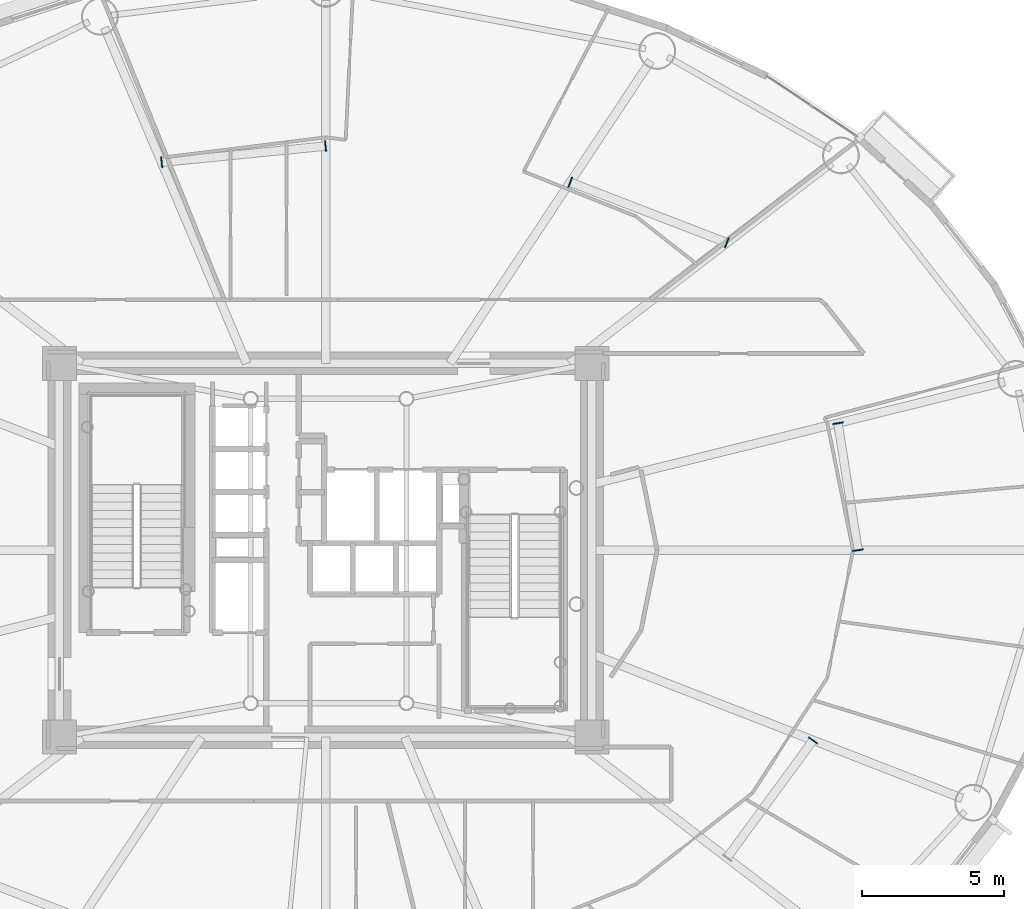
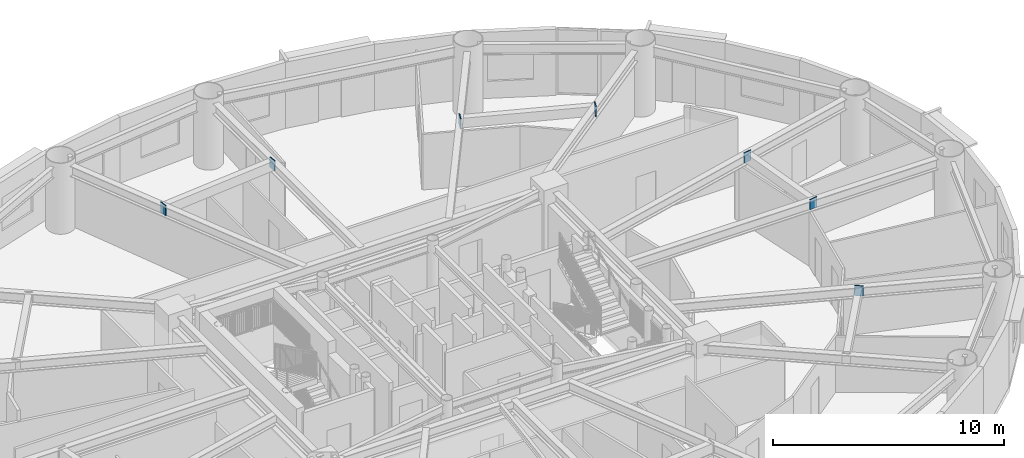
# One storey, part 8 of 21: 7 plates.
"""IFC4 building model written with IfcOpenShell, lengths in metres."""

from ifc_helpers import new_model, si_unit, direction, frame, origin, origin_2d, place, context, subcontext, project, spatial, rectangle, extrude, source, transform, mapped, material, layer, layer_set, type_object, element, save


model = new_model("IFC4")

# Units and contexts
model_context = context("Model", 3, precision=1e-05, world=origin(), true_north=direction((0.0, 1.0)))
body_context = subcontext(model_context, "Body", "Model", "MODEL_VIEW")
ifc_project = project(units=[si_unit("LENGTHUNIT", "METRE"), si_unit("AREAUNIT", "SQUARE_METRE"), si_unit("VOLUMEUNIT", "CUBIC_METRE"), si_unit("PLANEANGLEUNIT", "RADIAN"), si_unit("MASSUNIT", "GRAM", prefix="KILO")], contexts=[model_context])

# Site, building, storey
site_placement = place(None, origin())
site = spatial("IfcSite", under=ifc_project, at=site_placement, CompositionType="ELEMENT")
building_placement = place(site_placement, origin())
building = spatial("IfcBuilding", under=site, at=building_placement, Name="Linh Dai School and Residence Tower", CompositionType="ELEMENT")
storey_placement = place(building_placement, frame((0.0, 0.0, 189.89990234375)))
storey = spatial("IfcBuildingStorey", under=building, at=storey_placement, Name="L46", CompositionType="ELEMENT", Elevation=189.89990234375)

# Plates
ifc_material = material(Name="Structural Steel S355JR", Category="steel")
ifc_layer = layer(ifc_material, 0.0400390625)
ifc_layer_set = layer_set([ifc_layer], Name="Structural Steel S355JR")
plate_type = type_object("IfcPlateType", Name="PLT-GP1", PredefinedType="USERDEFINED", material=ifc_layer_set)
shared_shape = source(origin(), body_context, "Body", "SweptSolid", [
    extrude(rectangle(XDim=0.0400390625, YDim=0.3798828125, at=origin_2d()), origin(), (0.0, 0.0, 1.0), 0.5400390625),
])
for number, where, z_axis, x_axis, name in (
    (1, (54.795166015625, 27.0048828125, 2.97998046875), (0.0, 0.0, 1.0), (-0.156309354655, 0.987708148011, 0.0), "L46 Secondary Beam End Plate 01A"),
    (2, (54.0859375, 31.486572265625, 2.97998046875), (0.0, 0.0, 1.0), (-0.156309354655, 0.987708148011, 0.0), "L46 Secondary Beam End Plate 01B"),
    (3, (50.1640625, 37.860107421875, 2.97998046875), (0.0, 0.0, 1.0), (-0.932822787929, 0.36033546359, 0.0), "L46 Secondary Beam End Plate 02A"),
    (4, (44.63427734375, 39.99609375, 2.97998046875), (0.0, 0.0, 1.0), (-0.932822787929, 0.36033546359, 0.0), "L46 Secondary Beam End Plate 02B"),
    (5, (35.9951171875, 41.27294921875, 2.97998046875), (0.0, 0.0, 1.0), (-0.995144649372, -0.098423202682, 0.0), "L46 Secondary Beam End Plate 03A"),
    (6, (30.20751953125, 40.700439453125, 2.97998046875), (0.0, 0.0, 1.0), (-0.995144649372, -0.098423202682, 0.0), "L46 Secondary Beam End Plate 03B"),
    (7, (53.205322265625, 20.28857421875, 2.97998046875), (0.0, 0.0, 1.0), (0.590797317165, 0.806820010926, 0.0), "L46 Secondary Beam End Plate 08B"),
):
    element("IfcPlate", number, at=place(storey_placement, frame(where, z_axis=z_axis, x_axis=x_axis)), inside=storey, type_object=plate_type, Name=name, ObjectType="GUSSET PLATE", PredefinedType="USERDEFINED", context=body_context, shape_type="MappedRepresentation", body=[
        mapped(shared_shape, transform((0.0, 0.0, 0.0), x_axis=(1.0, 0.0, 0.0), y_axis=(0.0, 1.0, 0.0), z_axis=(0.0, 0.0, 1.0), scale=1.0)),
    ])

save(model, "model.ifc")
